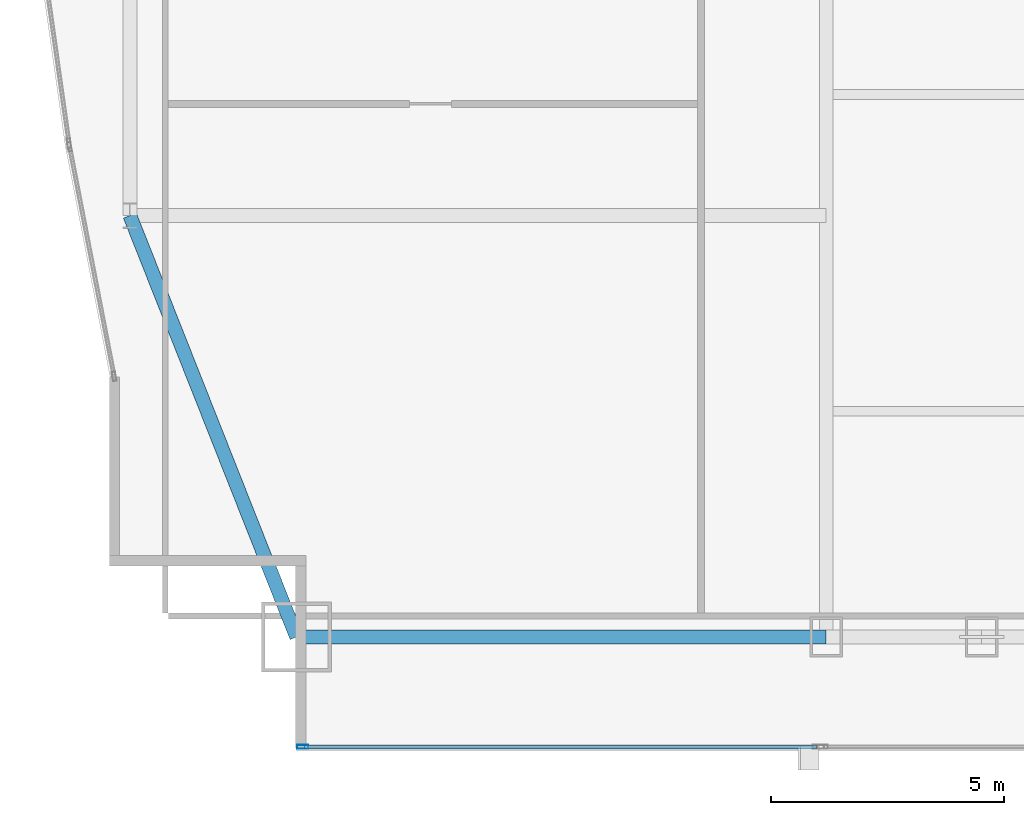
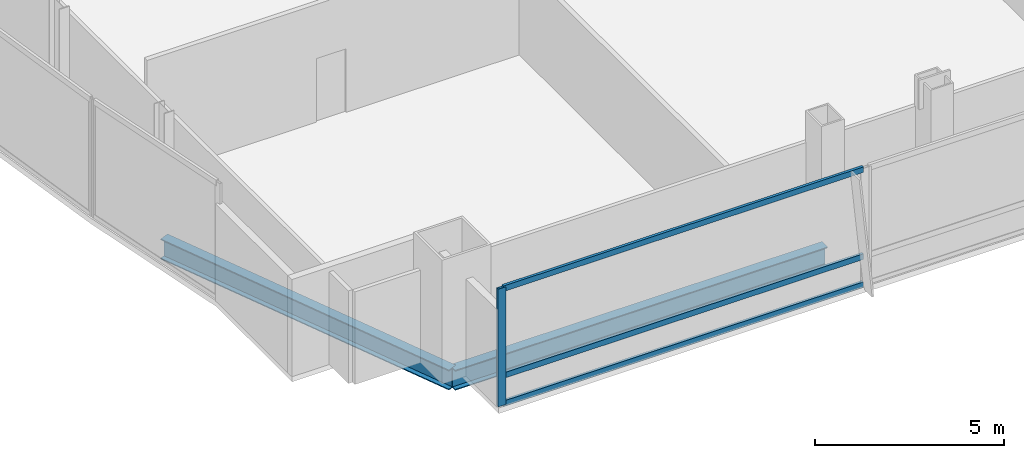
# One storey, part 5 of 34: 4 members, 2 beams, 1 element without a shape of its own.
"""IFC4 building model written with IfcOpenShell, lengths in metres."""

from ifc_helpers import new_model, si_unit, direction, frame, origin, origin_2d, place, context, subcontext, project, spatial, hollow_rectangle, i_section, extrude, material, material_profile, profile_set, type_object, element, aggregate, save


model = new_model("IFC4")

# Units and contexts
model_context = context("Model", 3, precision=1e-05, world=origin(), true_north=direction((0.0, 1.0)))
body_context = subcontext(model_context, "Body", "Model", "MODEL_VIEW")
ifc_project = project(units=[si_unit("LENGTHUNIT", "METRE"), si_unit("AREAUNIT", "SQUARE_METRE"), si_unit("VOLUMEUNIT", "CUBIC_METRE"), si_unit("PLANEANGLEUNIT", "RADIAN"), si_unit("MASSUNIT", "GRAM", prefix="KILO")], contexts=[model_context])

# Site, building, storey
site_placement = place(None, origin())
site = spatial("IfcSite", under=ifc_project, at=site_placement, CompositionType="ELEMENT")
building_placement = place(site_placement, origin())
building = spatial("IfcBuilding", under=site, at=building_placement, Name="Khoronbel Lancet Exchange", CompositionType="ELEMENT")
storey_placement = place(building_placement, frame((0.0, 0.0, 102.60009765625)))
storey = spatial("IfcBuildingStorey", under=building, at=storey_placement, Name="L24", CompositionType="ELEMENT", Elevation=102.60009765625)

# Beams
ifc_material_1 = material(Name="Steel S355", Category="steel")
ifc_material_profile_1 = material_profile(ifc_material_1, i_section(OverallWidth=0.300048828125, OverallDepth=0.64990234375, WebThickness=0.01611328125, FlangeThickness=0.031005859375, at=origin_2d()), Name="HEB 650")
ifc_profile_set_1 = profile_set([ifc_material_profile_1], Name="Steel S355")
beam_type = type_object("IfcBeamType", Name="BM-BSP1", PredefinedType="SPANDREL", material=ifc_profile_set_1)
beam_1_placement = place(storey_placement, frame((6.85009765625, 10.14990234375, -0.505126953125), z_axis=(1.0, 0.0, 0.0), x_axis=(0.0, 1.0, 0.0)))
element("IfcBeam", 1, at=beam_1_placement, inside=storey, type_object=beam_type, Name="Level L24 perimeter spandrel beam SP01", PredefinedType="SPANDREL", context=body_context, shape_type="SweptSolid", body=[
    extrude(i_section(OverallWidth=0.300048828125, OverallDepth=0.64990234375, WebThickness=0.01611328125, FlangeThickness=0.031005859375, at=origin_2d()), origin(), (0.0, 0.0, 1.0), 11.375),
])
beam_2_placement = place(storey_placement, frame((3.27001953125, 19.199951171875, -0.505126953125), z_axis=(0.367850095026, -0.92988510451, 0.0), x_axis=(0.92988510451, 0.367850095026, 0.0)))
element("IfcBeam", 2, at=beam_2_placement, inside=storey, type_object=beam_type, Name="Level L24 perimeter spandrel beam SP21", PredefinedType="SPANDREL", context=body_context, shape_type="SweptSolid", body=[
    extrude(i_section(OverallWidth=0.300048828125, OverallDepth=0.64990234375, WebThickness=0.01611328125, FlangeThickness=0.031005859375, at=origin_2d()), origin(), (0.0, 0.0, 1.0), 9.732421875),
])

# Curtain wall, members
ifc_material_2 = material(Name="Low-E Solar Control Insulating Glass", Category="glass")
curtain_wall_type = type_object("IfcCurtainWallType", Name="CW-2", PredefinedType="NOTDEFINED", material=ifc_material_2)
curtain_wall_placement = place(storey_placement, origin())
curtain_wall = element("IfcCurtainWall", 3, at=curtain_wall_placement, inside=storey, type_object=curtain_wall_type, Name="Unitised curtain wall CW-L24-SWV", PredefinedType="NOTDEFINED")
ifc_material_3 = material(Name="Bronze-Anodised Aluminium 6063-T6", Category="aluminium")
ifc_material_profile_2 = material_profile(ifc_material_3, hollow_rectangle(XDim=0.0849609375, YDim=0.239990234375, WallThickness=0.006103515625, at=origin_2d()), Name="ALU MULLION 85x240")
ifc_profile_set_2 = profile_set([ifc_material_profile_2], Name="Bronze-Anodised Aluminium 6063-T6")
member_type_1 = type_object("IfcMemberType", Name="MEM-CWM1", PredefinedType="MULLION", material=ifc_profile_set_2)
member_1_placement = place(storey_placement, frame((6.982421875, 7.7900390625, 0.0), z_axis=(0.0, 0.0, 1.0), x_axis=(0.0, 1.0, 0.0)))
member_1 = element("IfcMember", 4, at=member_1_placement, type_object=member_type_1, Name="CW2 mullion 1", PredefinedType="MULLION", context=body_context, shape_type="SweptSolid", body=[
    extrude(hollow_rectangle(XDim=0.0849609375, YDim=0.239990234375, WallThickness=0.006103515625, at=origin_2d()), origin(), (0.0, 0.0, 1.0), 3.7998046875),
])
ifc_material_profile_3 = material_profile(ifc_material_3, hollow_rectangle(XDim=0.0849609375, YDim=0.179931640625, WallThickness=0.0048828125, at=origin_2d()), Name="ALU TRANSOM 85x180")
ifc_profile_set_3 = profile_set([ifc_material_profile_3], Name="Bronze-Anodised Aluminium 6063-T6")
member_type_2 = type_object("IfcMemberType", Name="MEM-CWT1", PredefinedType="USERDEFINED", material=ifc_profile_set_3)
member_2_placement = place(storey_placement, frame((7.02490234375, 7.7900390625, 0.04248046875), z_axis=(1.0, 0.0, 0.0), x_axis=(0.0, 1.0, 0.0)))
member_2 = element("IfcMember", 5, at=member_2_placement, type_object=member_type_2, Name="CW2 transom 1.1", ObjectType="TRANSOM", PredefinedType="USERDEFINED", context=body_context, shape_type="SweptSolid", body=[
    extrude(hollow_rectangle(XDim=0.0849609375, YDim=0.179931640625, WallThickness=0.0048828125, at=origin_2d()), origin(), (0.0, 0.0, 1.0), 10.989990234375),
])
member_3_placement = place(storey_placement, frame((7.02490234375, 7.7900390625, 0.949951171875), z_axis=(1.0, 0.0, 0.0), x_axis=(0.0, 1.0, 0.0)))
member_3 = element("IfcMember", 6, at=member_3_placement, type_object=member_type_2, Name="CW2 transom 1.2", ObjectType="TRANSOM", PredefinedType="USERDEFINED", context=body_context, shape_type="SweptSolid", body=[
    extrude(hollow_rectangle(XDim=0.0849609375, YDim=0.179931640625, WallThickness=0.0048828125, at=origin_2d()), origin(), (0.0, 0.0, 1.0), 10.989990234375),
])
member_4_placement = place(storey_placement, frame((7.02490234375, 7.7900390625, 3.75732421875), z_axis=(1.0, 0.0, 0.0), x_axis=(0.0, 1.0, 0.0)))
member_4 = element("IfcMember", 7, at=member_4_placement, type_object=member_type_2, Name="CW2 transom 1.3", ObjectType="TRANSOM", PredefinedType="USERDEFINED", context=body_context, shape_type="SweptSolid", body=[
    extrude(hollow_rectangle(XDim=0.0849609375, YDim=0.179931640625, WallThickness=0.0048828125, at=origin_2d()), origin(), (0.0, 0.0, 1.0), 10.989990234375),
])
aggregate(curtain_wall, [member_1, member_2, member_3, member_4])

save(model, "model.ifc")
